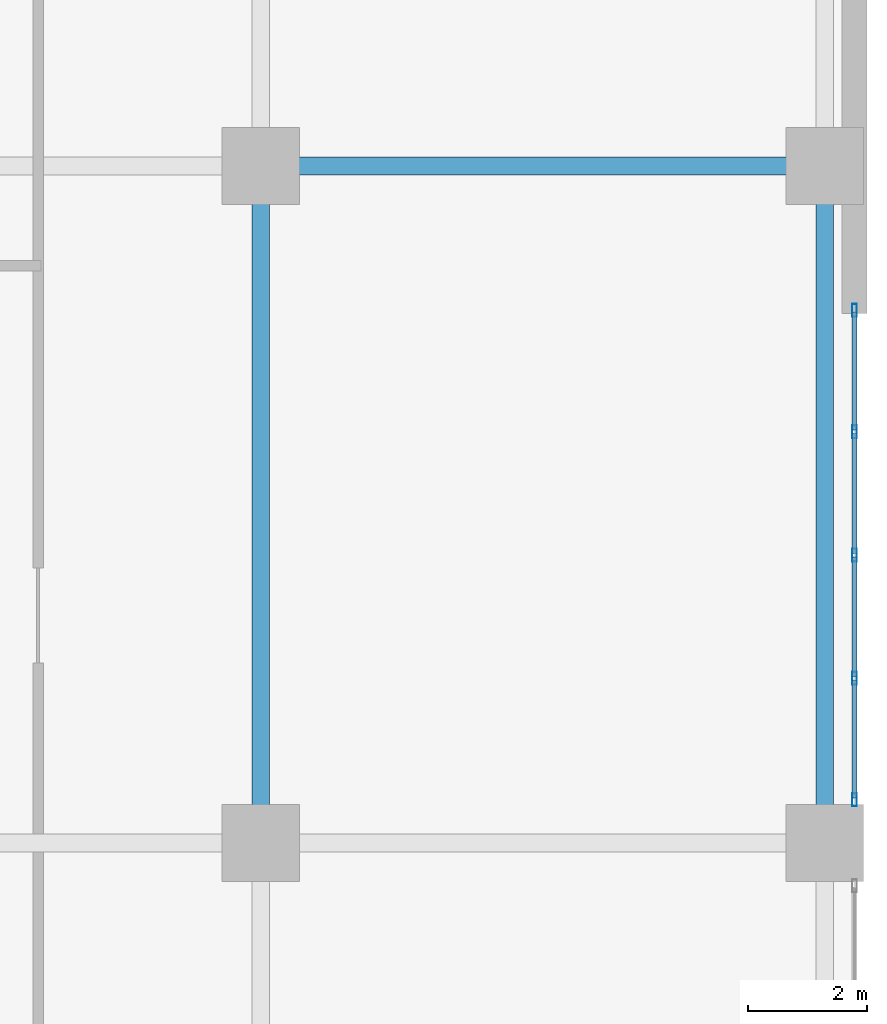
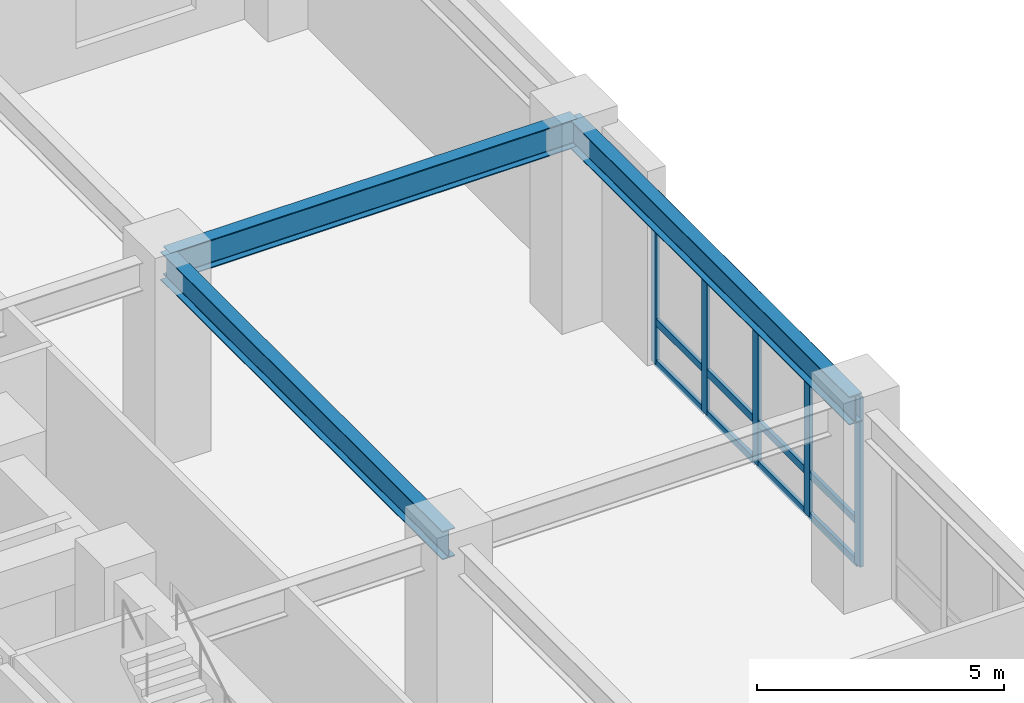
# One storey, part 15 of 26: 17 members, 3 beams, 1 element without a shape of its own.
"""IFC4 building model written with IfcOpenShell, lengths in metres."""

from ifc_helpers import new_model, si_unit, direction, frame, origin, origin_2d, place, context, subcontext, project, spatial, hollow_rectangle, i_section, extrude, material, layer, layer_set, material_profile, profile_set, type_object, element, aggregate, save


model = new_model("IFC4")

# Units and contexts
model_context = context("Model", 3, precision=1e-05, world=origin(), true_north=direction((0.0, 1.0)))
body_context = subcontext(model_context, "Body", "Model", "MODEL_VIEW")
ifc_project = project(units=[si_unit("LENGTHUNIT", "METRE"), si_unit("AREAUNIT", "SQUARE_METRE"), si_unit("VOLUMEUNIT", "CUBIC_METRE"), si_unit("PLANEANGLEUNIT", "RADIAN"), si_unit("MASSUNIT", "GRAM", prefix="KILO")], contexts=[model_context])

# Site, building, storey
site_placement = place(None, origin())
site = spatial("IfcSite", under=ifc_project, at=site_placement, CompositionType="ELEMENT")
building_placement = place(site_placement, origin())
building = spatial("IfcBuilding", under=site, at=building_placement, Name="Voryun Gate Residences", CompositionType="ELEMENT")
storey_placement = place(building_placement, frame((0.0, 0.0, 15.60009765625)))
storey = spatial("IfcBuildingStorey", under=building, at=storey_placement, Name="L03", CompositionType="ELEMENT", Elevation=15.60009765625)

# Beams
ifc_material_1 = material(Name="Steel SM355", Category="steel")
ifc_material_profile_1 = material_profile(ifc_material_1, i_section(OverallWidth=0.300048828125, OverallDepth=0.699951171875, WebThickness=0.012939453125, FlangeThickness=0.02392578125, FilletRadius=0.01806640625, at=origin_2d()), Name="H-700x300x13x24")
ifc_profile_set_1 = profile_set([ifc_material_profile_1], Name="Steel SM355")
beam_type = type_object("IfcBeamType", Name="BM_GIRD_700", PredefinedType="USERDEFINED", material=ifc_profile_set_1)
beam_placement = place(storey_placement, frame((25.60009765625, 11.39990234375, 4.449951171875), z_axis=(1.0, 0.0, 0.0), x_axis=(0.0, 1.0, 0.0)))
element("IfcBeam", 1, at=beam_placement, inside=storey, type_object=beam_type, Name="BM-L03-PEX-+11.4-1", ObjectType="GIRDER", PredefinedType="USERDEFINED", context=body_context, shape_type="SweptSolid", body=[
    extrude(i_section(OverallWidth=0.300048828125, OverallDepth=0.699951171875, WebThickness=0.012939453125, FlangeThickness=0.02392578125, FilletRadius=0.01806640625, at=origin_2d()), origin(), (0.0, 0.0, 1.0), 9.5),
])
for number, where, z_axis, x_axis, name in (
    (2, (25.60009765625, 0.0, 4.449951171875), (0.0, 1.0, 0.0), (-1.0, 0.0, 0.0), "BM-L03-PEY-+25.6-2"),
    (3, (35.10009765625, 0.0, 4.449951171875), (0.0, 1.0, 0.0), (-1.0, 0.0, 0.0), "BM-L03-PEY-+35.1-2"),
):
    element("IfcBeam", number, at=place(storey_placement, frame(where, z_axis=z_axis, x_axis=x_axis)), inside=storey, type_object=beam_type, Name=name, ObjectType="GIRDER", PredefinedType="USERDEFINED", context=body_context, shape_type="SweptSolid", body=[
        extrude(i_section(OverallWidth=0.300048828125, OverallDepth=0.699951171875, WebThickness=0.012939453125, FlangeThickness=0.02392578125, FilletRadius=0.01806640625, at=origin_2d()), origin(), (0.0, 0.0, 1.0), 11.39990234375),
    ])

# Curtain wall, members
ifc_material_2 = material(Name="Anodised aluminium", Category="aluminium")
ifc_layer = layer(ifc_material_2, 0.219970703125, Name="CW_SYS_POD_DARK_GLASS")
ifc_layer_set = layer_set([ifc_layer], Name="Anodised aluminium")
curtain_wall_type = type_object("IfcCurtainWallType", Name="CW_SYS_POD_DARK_GLASS", PredefinedType="NOTDEFINED", material=ifc_layer_set)
curtain_wall_placement = place(storey_placement, origin())
curtain_wall = element("IfcCurtainWall", 4, at=curtain_wall_placement, inside=storey, type_object=curtain_wall_type, Name="Curtain wall CW1-L03-EPE-N", PredefinedType="NOTDEFINED")
ifc_material_3 = material(Name="Anodised aluminium", Category="aluminium")
ifc_material_profile_2 = material_profile(ifc_material_3, hollow_rectangle(XDim=0.080078125, YDim=0.219970703125, WallThickness=0.0048828125, at=origin_2d()), Name="ALU-MULL-220x80x5")
ifc_profile_set_2 = profile_set([ifc_material_profile_2], Name="Anodised aluminium")
member_type_1 = type_object("IfcMemberType", Name="CW_MULL_POD", PredefinedType="MULLION", material=ifc_profile_set_2)
member_1_placement = place(storey_placement, frame((35.60009765625, 0.72509765625, 0.0), z_axis=(0.0, 0.0, 1.0), x_axis=(-1.0, 0.0, 0.0)))
member_1 = element("IfcMember", 5, at=member_1_placement, type_object=member_type_1, Name="CW1 mullion 1", PredefinedType="MULLION", context=body_context, shape_type="SweptSolid", body=[
    extrude(hollow_rectangle(XDim=0.080078125, YDim=0.219970703125, WallThickness=0.0048828125, at=origin_2d()), origin(), (0.0, 0.0, 1.0), 4.199951171875),
])
member_2_placement = place(storey_placement, frame((35.60009765625, 2.771240234375, 0.0), z_axis=(0.0, 0.0, 1.0), x_axis=(-1.0, 0.0, 0.0)))
member_2 = element("IfcMember", 6, at=member_2_placement, type_object=member_type_1, Name="CW1 mullion 2", PredefinedType="MULLION", context=body_context, shape_type="SweptSolid", body=[
    extrude(hollow_rectangle(XDim=0.080078125, YDim=0.219970703125, WallThickness=0.0048828125, at=origin_2d()), origin(), (0.0, 0.0, 1.0), 4.199951171875),
])
member_3_placement = place(storey_placement, frame((35.60009765625, 4.847412109375, 0.0), z_axis=(0.0, 0.0, 1.0), x_axis=(-1.0, 0.0, 0.0)))
member_3 = element("IfcMember", 7, at=member_3_placement, type_object=member_type_1, Name="CW1 mullion 3", PredefinedType="MULLION", context=body_context, shape_type="SweptSolid", body=[
    extrude(hollow_rectangle(XDim=0.080078125, YDim=0.219970703125, WallThickness=0.0048828125, at=origin_2d()), origin(), (0.0, 0.0, 1.0), 4.199951171875),
])
member_4_placement = place(storey_placement, frame((35.60009765625, 6.923828125, 0.0), z_axis=(0.0, 0.0, 1.0), x_axis=(-1.0, 0.0, 0.0)))
member_4 = element("IfcMember", 8, at=member_4_placement, type_object=member_type_1, Name="CW1 mullion 4", PredefinedType="MULLION", context=body_context, shape_type="SweptSolid", body=[
    extrude(hollow_rectangle(XDim=0.080078125, YDim=0.219970703125, WallThickness=0.0048828125, at=origin_2d()), origin(), (0.0, 0.0, 1.0), 4.199951171875),
])
member_5_placement = place(storey_placement, frame((35.60009765625, 8.969970703125, 0.0), z_axis=(0.0, 0.0, 1.0), x_axis=(-1.0, 0.0, 0.0)))
member_5 = element("IfcMember", 9, at=member_5_placement, type_object=member_type_1, Name="CW1 mullion 5", PredefinedType="MULLION", context=body_context, shape_type="SweptSolid", body=[
    extrude(hollow_rectangle(XDim=0.080078125, YDim=0.219970703125, WallThickness=0.0048828125, at=origin_2d()), origin(), (0.0, 0.0, 1.0), 4.199951171875),
])
ifc_material_4 = material(Name="Anodised aluminium", Category="aluminium")
ifc_material_profile_3 = material_profile(ifc_material_4, hollow_rectangle(XDim=0.080078125, YDim=0.179931640625, WallThickness=0.0048828125, at=origin_2d()), Name="ALU-TRAN-180x80x5")
ifc_profile_set_3 = profile_set([ifc_material_profile_3], Name="Anodised aluminium")
member_type_2 = type_object("IfcMemberType", Name="CW_TRAN_POD", PredefinedType="USERDEFINED", material=ifc_profile_set_3)
member_6_placement = place(storey_placement, frame((35.60009765625, 0.7548828125, 0.02978515625), z_axis=(0.0, 1.0, 0.0), x_axis=(-1.0, 0.0, 0.0)))
member_6 = element("IfcMember", 10, at=member_6_placement, type_object=member_type_2, Name="CW1 transom 1.1", ObjectType="TRANSOM", PredefinedType="USERDEFINED", context=body_context, shape_type="SweptSolid", body=[
    extrude(hollow_rectangle(XDim=0.080078125, YDim=0.179931640625, WallThickness=0.0048828125, at=origin_2d()), origin(), (0.0, 0.0, 1.0), 1.986328125),
])
member_7_placement = place(storey_placement, frame((35.60009765625, 0.7548828125, 1.0498046875), z_axis=(0.0, 1.0, 0.0), x_axis=(-1.0, 0.0, 0.0)))
member_7 = element("IfcMember", 11, at=member_7_placement, type_object=member_type_2, Name="CW1 transom 1.2", ObjectType="TRANSOM", PredefinedType="USERDEFINED", context=body_context, shape_type="SweptSolid", body=[
    extrude(hollow_rectangle(XDim=0.080078125, YDim=0.179931640625, WallThickness=0.0048828125, at=origin_2d()), origin(), (0.0, 0.0, 1.0), 1.986328125),
])
member_8_placement = place(storey_placement, frame((35.60009765625, 0.7548828125, 4.169921875), z_axis=(0.0, 1.0, 0.0), x_axis=(-1.0, 0.0, 0.0)))
member_8 = element("IfcMember", 12, at=member_8_placement, type_object=member_type_2, Name="CW1 transom 1.3", ObjectType="TRANSOM", PredefinedType="USERDEFINED", context=body_context, shape_type="SweptSolid", body=[
    extrude(hollow_rectangle(XDim=0.080078125, YDim=0.179931640625, WallThickness=0.0048828125, at=origin_2d()), origin(), (0.0, 0.0, 1.0), 1.986328125),
])
member_9_placement = place(storey_placement, frame((35.60009765625, 2.80126953125, 0.02978515625), z_axis=(0.0, 1.0, 0.0), x_axis=(-1.0, 0.0, 0.0)))
member_9 = element("IfcMember", 13, at=member_9_placement, type_object=member_type_2, Name="CW1 transom 2.1", ObjectType="TRANSOM", PredefinedType="USERDEFINED", context=body_context, shape_type="SweptSolid", body=[
    extrude(hollow_rectangle(XDim=0.080078125, YDim=0.179931640625, WallThickness=0.0048828125, at=origin_2d()), origin(), (0.0, 0.0, 1.0), 2.01611328125),
])
member_10_placement = place(storey_placement, frame((35.60009765625, 2.80126953125, 1.0498046875), z_axis=(0.0, 1.0, 0.0), x_axis=(-1.0, 0.0, 0.0)))
member_10 = element("IfcMember", 14, at=member_10_placement, type_object=member_type_2, Name="CW1 transom 2.2", ObjectType="TRANSOM", PredefinedType="USERDEFINED", context=body_context, shape_type="SweptSolid", body=[
    extrude(hollow_rectangle(XDim=0.080078125, YDim=0.179931640625, WallThickness=0.0048828125, at=origin_2d()), origin(), (0.0, 0.0, 1.0), 2.01611328125),
])
member_11_placement = place(storey_placement, frame((35.60009765625, 2.80126953125, 4.169921875), z_axis=(0.0, 1.0, 0.0), x_axis=(-1.0, 0.0, 0.0)))
member_11 = element("IfcMember", 15, at=member_11_placement, type_object=member_type_2, Name="CW1 transom 2.3", ObjectType="TRANSOM", PredefinedType="USERDEFINED", context=body_context, shape_type="SweptSolid", body=[
    extrude(hollow_rectangle(XDim=0.080078125, YDim=0.179931640625, WallThickness=0.0048828125, at=origin_2d()), origin(), (0.0, 0.0, 1.0), 2.01611328125),
])
member_12_placement = place(storey_placement, frame((35.60009765625, 4.87744140625, 0.02978515625), z_axis=(0.0, 1.0, 0.0), x_axis=(-1.0, 0.0, 0.0)))
member_12 = element("IfcMember", 16, at=member_12_placement, type_object=member_type_2, Name="CW1 transom 3.1", ObjectType="TRANSOM", PredefinedType="USERDEFINED", context=body_context, shape_type="SweptSolid", body=[
    extrude(hollow_rectangle(XDim=0.080078125, YDim=0.179931640625, WallThickness=0.0048828125, at=origin_2d()), origin(), (0.0, 0.0, 1.0), 2.016357421875),
])
member_13_placement = place(storey_placement, frame((35.60009765625, 4.87744140625, 1.0498046875), z_axis=(0.0, 1.0, 0.0), x_axis=(-1.0, 0.0, 0.0)))
member_13 = element("IfcMember", 17, at=member_13_placement, type_object=member_type_2, Name="CW1 transom 3.2", ObjectType="TRANSOM", PredefinedType="USERDEFINED", context=body_context, shape_type="SweptSolid", body=[
    extrude(hollow_rectangle(XDim=0.080078125, YDim=0.179931640625, WallThickness=0.0048828125, at=origin_2d()), origin(), (0.0, 0.0, 1.0), 2.016357421875),
])
member_14_placement = place(storey_placement, frame((35.60009765625, 4.87744140625, 4.169921875), z_axis=(0.0, 1.0, 0.0), x_axis=(-1.0, 0.0, 0.0)))
member_14 = element("IfcMember", 18, at=member_14_placement, type_object=member_type_2, Name="CW1 transom 3.3", ObjectType="TRANSOM", PredefinedType="USERDEFINED", context=body_context, shape_type="SweptSolid", body=[
    extrude(hollow_rectangle(XDim=0.080078125, YDim=0.179931640625, WallThickness=0.0048828125, at=origin_2d()), origin(), (0.0, 0.0, 1.0), 2.016357421875),
])
member_15_placement = place(storey_placement, frame((35.60009765625, 6.953857421875, 0.02978515625), z_axis=(0.0, 1.0, 0.0), x_axis=(-1.0, 0.0, 0.0)))
member_15 = element("IfcMember", 19, at=member_15_placement, type_object=member_type_2, Name="CW1 transom 4.1", ObjectType="TRANSOM", PredefinedType="USERDEFINED", context=body_context, shape_type="SweptSolid", body=[
    extrude(hollow_rectangle(XDim=0.080078125, YDim=0.179931640625, WallThickness=0.0048828125, at=origin_2d()), origin(), (0.0, 0.0, 1.0), 1.986083984375),
])
member_16_placement = place(storey_placement, frame((35.60009765625, 6.953857421875, 1.0498046875), z_axis=(0.0, 1.0, 0.0), x_axis=(-1.0, 0.0, 0.0)))
member_16 = element("IfcMember", 20, at=member_16_placement, type_object=member_type_2, Name="CW1 transom 4.2", ObjectType="TRANSOM", PredefinedType="USERDEFINED", context=body_context, shape_type="SweptSolid", body=[
    extrude(hollow_rectangle(XDim=0.080078125, YDim=0.179931640625, WallThickness=0.0048828125, at=origin_2d()), origin(), (0.0, 0.0, 1.0), 1.986083984375),
])
member_17_placement = place(storey_placement, frame((35.60009765625, 6.953857421875, 4.169921875), z_axis=(0.0, 1.0, 0.0), x_axis=(-1.0, 0.0, 0.0)))
member_17 = element("IfcMember", 21, at=member_17_placement, type_object=member_type_2, Name="CW1 transom 4.3", ObjectType="TRANSOM", PredefinedType="USERDEFINED", context=body_context, shape_type="SweptSolid", body=[
    extrude(hollow_rectangle(XDim=0.080078125, YDim=0.179931640625, WallThickness=0.0048828125, at=origin_2d()), origin(), (0.0, 0.0, 1.0), 1.986083984375),
])
aggregate(curtain_wall, [member_1, member_2, member_3, member_4, member_5, member_6, member_7, member_8, member_9, member_10, member_11, member_12, member_13, member_14, member_15, member_16, member_17])

save(model, "model.ifc")
